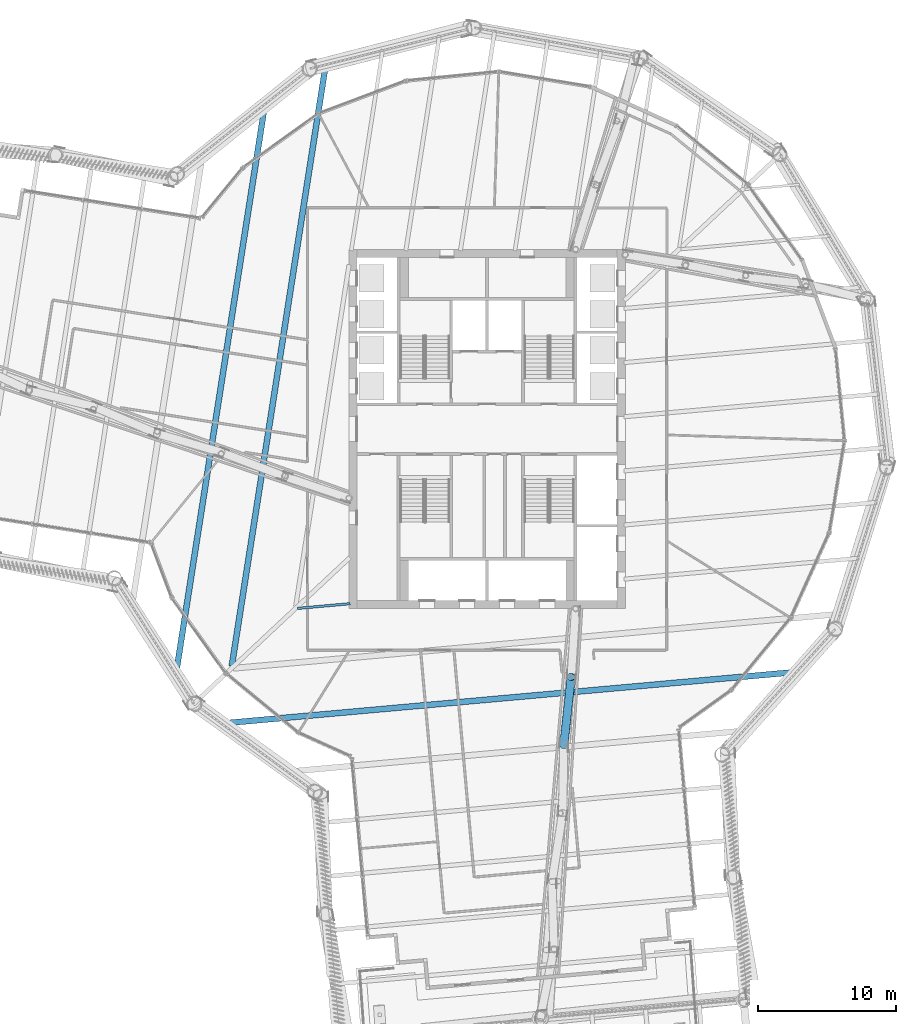
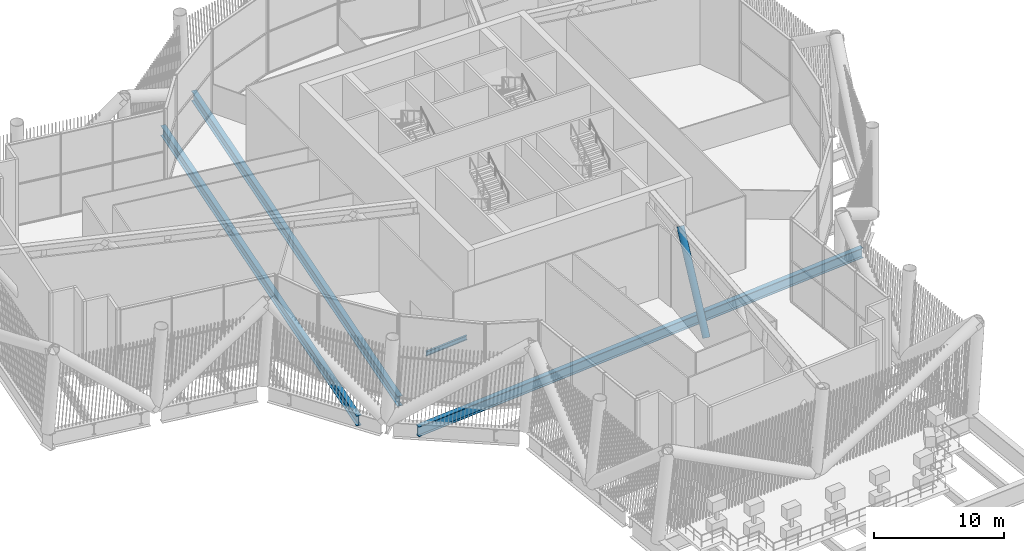
# One storey, part 14 of 55: 4 beams, 1 member.
"""IFC4 building model written with IfcOpenShell, lengths in metres."""

from ifc_helpers import new_model, si_unit, direction, frame, origin, origin_2d, place, context, subcontext, project, spatial, hollow_circle, i_section, extrude, material, material_profile, profile_set, type_object, element, save


model = new_model("IFC4")

# Units and contexts
model_context = context("Model", 3, precision=1e-05, world=origin(), true_north=direction((0.0, 1.0)))
body_context = subcontext(model_context, "Body", "Model", "MODEL_VIEW")
ifc_project = project(units=[si_unit("LENGTHUNIT", "METRE"), si_unit("AREAUNIT", "SQUARE_METRE"), si_unit("VOLUMEUNIT", "CUBIC_METRE"), si_unit("PLANEANGLEUNIT", "RADIAN"), si_unit("MASSUNIT", "GRAM", prefix="KILO")], contexts=[model_context])

# Site, building, storey
site_placement = place(None, origin())
site = spatial("IfcSite", under=ifc_project, at=site_placement, CompositionType="ELEMENT")
building_placement = place(site_placement, origin())
building = spatial("IfcBuilding", under=site, at=building_placement, Name="Tarsis Ring Headquarters", CompositionType="ELEMENT")
storey_placement = place(building_placement, frame((0.0, 0.0, 247.199951171875)))
storey = spatial("IfcBuildingStorey", under=building, at=storey_placement, Name="L58", CompositionType="ELEMENT", Elevation=247.199951171875)

# Beams
ifc_material = material(Name="Structural steel S355", Category="steel")
ifc_material_profile_1 = material_profile(ifc_material, i_section(OverallWidth=0.177734375, OverallDepth=0.406494140625, WebThickness=0.0078125, FlangeThickness=0.0126953125, at=origin_2d()), Name="W16x40")
ifc_profile_set_1 = profile_set([ifc_material_profile_1], Name="Structural steel S355")
beam_type_1 = type_object("IfcBeamType", Name="FB Floor beam W16x40", PredefinedType="JOIST", material=ifc_profile_set_1)
beam_1_placement = place(storey_placement, frame((-13.720458984375, -12.976318359375, -0.503173828125), z_axis=(0.996009765736, 0.089244308274, 0.0), x_axis=(-0.089244308274, 0.996009765736, 0.0)))
element("IfcBeam", 1, at=beam_1_placement, inside=storey, type_object=beam_type_1, Name="Floor beam FB1", PredefinedType="JOIST", context=body_context, shape_type="SweptSolid", body=[
    extrude(i_section(OverallWidth=0.177734375, OverallDepth=0.406494140625, WebThickness=0.0078125, FlangeThickness=0.0126953125, at=origin_2d()), origin(), (0.0, 0.0, 1.0), 3.83544921875),
])
ifc_material_profile_2 = material_profile(ifc_material, i_section(OverallWidth=0.42431640625, OverallDepth=0.947509765625, WebThickness=0.02392578125, FlangeThickness=0.042724609375, at=origin_2d()), Name="W36x302")
ifc_profile_set_2 = profile_set([ifc_material_profile_2], Name="Structural steel S355")
beam_type_2 = type_object("IfcBeamType", Name="FB Floor beam W36x302", PredefinedType="JOIST", material=ifc_profile_set_2)
beam_2_placement = place(storey_placement, frame((-19.304931640625, -21.307861328125, -0.773681640625), z_axis=(0.996010071905, 0.089240891205, 0.0), x_axis=(-0.089240891205, 0.996010071905, 0.0)))
element("IfcBeam", 2, at=beam_2_placement, inside=storey, type_object=beam_type_2, Name="Floor beam FB12", PredefinedType="JOIST", context=body_context, shape_type="SweptSolid", body=[
    extrude(i_section(OverallWidth=0.42431640625, OverallDepth=0.947509765625, WebThickness=0.02392578125, FlangeThickness=0.042724609375, at=origin_2d()), origin(), (0.0, 0.0, 1.0), 41.941650390625),
])
beam_3_placement = place(storey_placement, frame((-11.658447265625, 26.439697265625, -0.773681640625), z_axis=(-0.154366081411, -0.988013721013, 0.0), x_axis=(0.988013721013, -0.154366081411, 0.0)))
element("IfcBeam", 3, at=beam_3_placement, inside=storey, type_object=beam_type_2, Name="Floor beam FB12", PredefinedType="JOIST", context=body_context, shape_type="SweptSolid", body=[
    extrude(i_section(OverallWidth=0.42431640625, OverallDepth=0.947509765625, WebThickness=0.02392578125, FlangeThickness=0.042724609375, at=origin_2d()), origin(), (0.0, 0.0, 1.0), 44.138427734375),
])
beam_4_placement = place(storey_placement, frame((-16.053466796875, 23.572998046875, -0.773681640625), z_axis=(-0.154365870948, -0.988013753895, 0.0), x_axis=(0.988013753895, -0.154365870948, 0.0)))
element("IfcBeam", 4, at=beam_4_placement, inside=storey, type_object=beam_type_2, Name="Floor beam FB12", PredefinedType="JOIST", context=body_context, shape_type="SweptSolid", body=[
    extrude(i_section(OverallWidth=0.42431640625, OverallDepth=0.947509765625, WebThickness=0.02392578125, FlangeThickness=0.042724609375, at=origin_2d()), origin(), (0.0, 0.0, 1.0), 41.941650390625),
])

# Member
ifc_material_profile_3 = material_profile(ifc_material, hollow_circle(Radius=0.3046875, WallThickness=0.02490234375, at=origin_2d()), Name="CHS 610x25")
ifc_profile_set_3 = profile_set([ifc_material_profile_3], Name="Structural steel S355")
member_type = type_object("IfcMemberType", Name="OD Outrigger diagonal CHS 610x25", PredefinedType="BRACE", material=ifc_profile_set_3)
member_placement = place(storey_placement, frame((6.08740234375, -17.9267578125, 7.5859375), z_axis=(-0.060909716724, -0.558435489696, -0.827308775643), x_axis=(0.994104195099, -0.10842900574, 0.0)))
element("IfcMember", 5, at=member_placement, inside=storey, type_object=member_type, Name="Outrigger diagonal OD1", PredefinedType="BRACE", context=body_context, shape_type="SweptSolid", body=[
    extrude(hollow_circle(Radius=0.3046875, WallThickness=0.02490234375, at=origin_2d()), origin(), (0.0, 0.0, 1.0), 8.8623046875),
])

save(model, "model.ifc")
